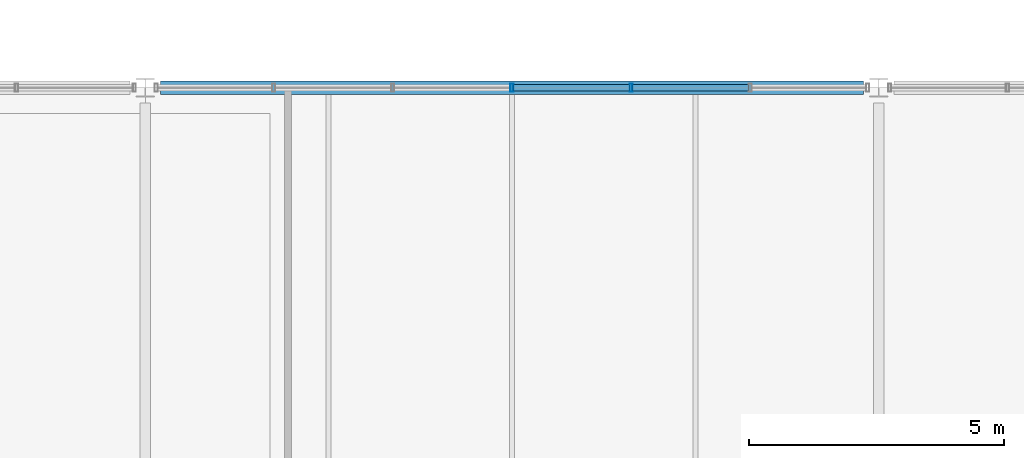
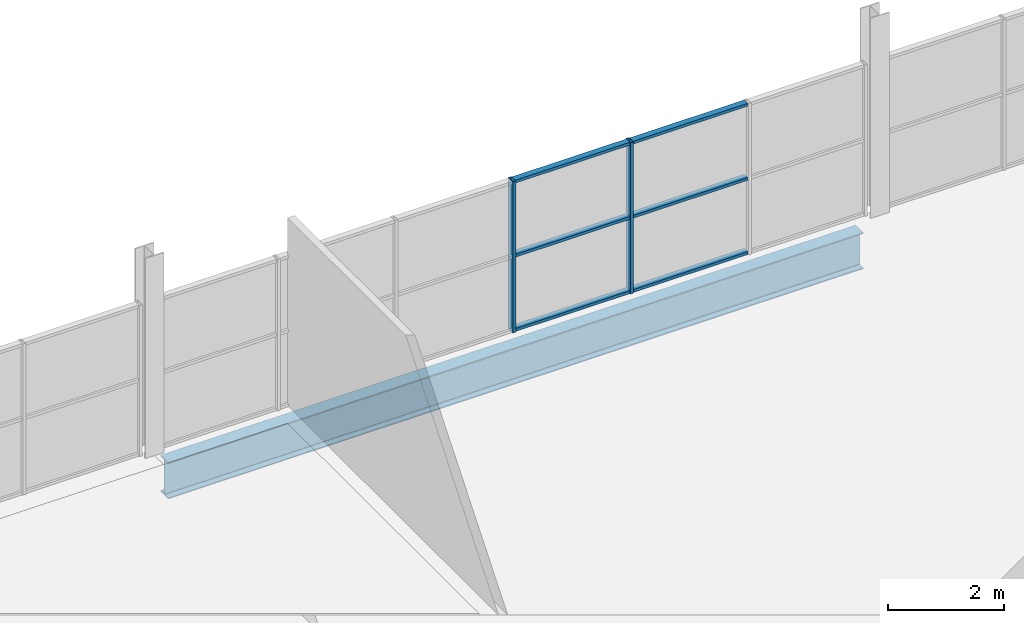
# One storey, part 78 of 161: 8 members, 1 beam, 1 element without a shape of its own.
"""IFC4 building model written with IfcOpenShell, lengths in metres."""

from ifc_helpers import new_model, si_unit, direction, frame, origin, origin_2d, place, context, subcontext, project, spatial, hollow_rectangle, i_section, extrude, material, material_profile, profile_set, type_object, element, aggregate, save


model = new_model("IFC4")

# Units and contexts
model_context = context("Model", 3, precision=1e-05, world=origin(), true_north=direction((0.0, 1.0)))
body_context = subcontext(model_context, "Body", "Model", "MODEL_VIEW")
ifc_project = project(units=[si_unit("LENGTHUNIT", "METRE"), si_unit("AREAUNIT", "SQUARE_METRE"), si_unit("VOLUMEUNIT", "CUBIC_METRE"), si_unit("PLANEANGLEUNIT", "RADIAN"), si_unit("MASSUNIT", "GRAM", prefix="KILO"), si_unit("THERMODYNAMICTEMPERATUREUNIT", "KELVIN")], contexts=[model_context])

# Site, building, storey
site_placement = place(None, origin())
site = spatial("IfcSite", under=ifc_project, at=site_placement, CompositionType="ELEMENT")
building_placement = place(site_placement, origin())
building = spatial("IfcBuilding", under=site, at=building_placement, Name="Nduvali Passage Aquatics Centre", CompositionType="ELEMENT")
storey_placement = place(building_placement, frame((0.0, 0.0, 4.800048828125)))
storey = spatial("IfcBuildingStorey", under=building, at=storey_placement, Name="L01", CompositionType="ELEMENT", Elevation=4.800048828125)

# Curtain wall, members
ifc_material_1 = material(Name="Aluminium EN AW-6063 T6", Category="aluminium")
curtain_wall_type = type_object("IfcCurtainWallType", Name="ENV-CW-WELL", PredefinedType="NOTDEFINED", material=ifc_material_1)
curtain_wall_placement = place(storey_placement, origin())
curtain_wall = element("IfcCurtainWall", 1, at=curtain_wall_placement, inside=storey, type_object=curtain_wall_type, Name="L01 North Avenue Fitness CW 103", PredefinedType="NOTDEFINED")
ifc_material_profile_1 = material_profile(ifc_material_1, hollow_rectangle(XDim=0.06005859375, YDim=0.159912109375, WallThickness=0.00390625, at=origin_2d()), Name="ALU MULLION 60x160x4")
ifc_profile_set_1 = profile_set([ifc_material_profile_1], Name="Aluminium EN AW-6063 T6")
member_type_1 = type_object("IfcMemberType", Name="ENV-MEM-MUL60", PredefinedType="MULLION", material=ifc_profile_set_1)
member_1_placement = place(storey_placement, frame((75.60009765625, 117.60009765625, 0.0), z_axis=(0.0, 0.0, 1.0), x_axis=(1.0, 0.0, 0.0)))
member_1 = element("IfcMember", 2, at=member_1_placement, type_object=member_type_1, Name="North Avenue Fitness CW Mullion 4", PredefinedType="MULLION", context=body_context, shape_type="SweptSolid", body=[
    extrude(hollow_rectangle(XDim=0.06005859375, YDim=0.159912109375, WallThickness=0.00390625, at=origin_2d()), origin(), (0.0, 0.0, 1.0), 3.173828125),
])
member_2_placement = place(storey_placement, frame((77.938232421875, 117.60009765625, 0.0), z_axis=(0.0, 0.0, 1.0), x_axis=(1.0, 0.0, 0.0)))
member_2 = element("IfcMember", 3, at=member_2_placement, type_object=member_type_1, Name="North Avenue Fitness CW Mullion 5", PredefinedType="MULLION", context=body_context, shape_type="SweptSolid", body=[
    extrude(hollow_rectangle(XDim=0.06005859375, YDim=0.159912109375, WallThickness=0.00390625, at=origin_2d()), origin(), (0.0, 0.0, 1.0), 3.173828125),
])
ifc_material_profile_2 = material_profile(ifc_material_1, hollow_rectangle(XDim=0.1201171875, YDim=0.06005859375, WallThickness=0.00390625, at=origin_2d()), Name="ALU TRANSOM 120x60x4")
ifc_profile_set_2 = profile_set([ifc_material_profile_2], Name="Aluminium EN AW-6063 T6")
member_type_2 = type_object("IfcMemberType", Name="ENV-MEM-TRN60", PredefinedType="USERDEFINED", material=ifc_profile_set_2)
member_3_placement = place(storey_placement, frame((75.6298828125, 117.60009765625, 0.030029296875), z_axis=(1.0, 0.0, 0.0), x_axis=(0.0, 1.0, 0.0)))
member_3 = element("IfcMember", 4, at=member_3_placement, type_object=member_type_2, Name="North Avenue Fitness CW Transom B4-R0", ObjectType="TRANSOM", PredefinedType="USERDEFINED", context=body_context, shape_type="SweptSolid", body=[
    extrude(hollow_rectangle(XDim=0.1201171875, YDim=0.06005859375, WallThickness=0.00390625, at=origin_2d()), origin(), (0.0, 0.0, 1.0), 2.2783203125),
])
member_4_placement = place(storey_placement, frame((75.6298828125, 117.60009765625, 1.5869140625), z_axis=(1.0, 0.0, 0.0), x_axis=(0.0, 1.0, 0.0)))
member_4 = element("IfcMember", 5, at=member_4_placement, type_object=member_type_2, Name="North Avenue Fitness CW Transom B4-R1", ObjectType="TRANSOM", PredefinedType="USERDEFINED", context=body_context, shape_type="SweptSolid", body=[
    extrude(hollow_rectangle(XDim=0.1201171875, YDim=0.06005859375, WallThickness=0.00390625, at=origin_2d()), origin(), (0.0, 0.0, 1.0), 2.2783203125),
])
member_5_placement = place(storey_placement, frame((75.6298828125, 117.60009765625, 3.143798828125), z_axis=(1.0, 0.0, 0.0), x_axis=(0.0, 1.0, 0.0)))
member_5 = element("IfcMember", 6, at=member_5_placement, type_object=member_type_2, Name="North Avenue Fitness CW Transom B4-R2", ObjectType="TRANSOM", PredefinedType="USERDEFINED", context=body_context, shape_type="SweptSolid", body=[
    extrude(hollow_rectangle(XDim=0.1201171875, YDim=0.06005859375, WallThickness=0.00390625, at=origin_2d()), origin(), (0.0, 0.0, 1.0), 2.2783203125),
])
member_6_placement = place(storey_placement, frame((77.96826171875, 117.60009765625, 0.030029296875), z_axis=(1.0, 0.0, 0.0), x_axis=(0.0, 1.0, 0.0)))
member_6 = element("IfcMember", 7, at=member_6_placement, type_object=member_type_2, Name="North Avenue Fitness CW Transom B5-R0", ObjectType="TRANSOM", PredefinedType="USERDEFINED", context=body_context, shape_type="SweptSolid", body=[
    extrude(hollow_rectangle(XDim=0.1201171875, YDim=0.06005859375, WallThickness=0.00390625, at=origin_2d()), origin(), (0.0, 0.0, 1.0), 2.2783203125),
])
member_7_placement = place(storey_placement, frame((77.96826171875, 117.60009765625, 1.5869140625), z_axis=(1.0, 0.0, 0.0), x_axis=(0.0, 1.0, 0.0)))
member_7 = element("IfcMember", 8, at=member_7_placement, type_object=member_type_2, Name="North Avenue Fitness CW Transom B5-R1", ObjectType="TRANSOM", PredefinedType="USERDEFINED", context=body_context, shape_type="SweptSolid", body=[
    extrude(hollow_rectangle(XDim=0.1201171875, YDim=0.06005859375, WallThickness=0.00390625, at=origin_2d()), origin(), (0.0, 0.0, 1.0), 2.2783203125),
])
member_8_placement = place(storey_placement, frame((77.96826171875, 117.60009765625, 3.143798828125), z_axis=(1.0, 0.0, 0.0), x_axis=(0.0, 1.0, 0.0)))
member_8 = element("IfcMember", 9, at=member_8_placement, type_object=member_type_2, Name="North Avenue Fitness CW Transom B5-R2", ObjectType="TRANSOM", PredefinedType="USERDEFINED", context=body_context, shape_type="SweptSolid", body=[
    extrude(hollow_rectangle(XDim=0.1201171875, YDim=0.06005859375, WallThickness=0.00390625, at=origin_2d()), origin(), (0.0, 0.0, 1.0), 2.2783203125),
])
aggregate(curtain_wall, [member_1, member_2, member_3, member_4, member_5, member_6, member_7, member_8])

# Beam
ifc_material_2 = material(Name="Steel S355", Category="steel")
ifc_material_profile_3 = material_profile(ifc_material_2, i_section(OverallWidth=0.2666015625, OverallDepth=0.76220703125, WebThickness=0.014404296875, FlangeThickness=0.021484375, FilletRadius=0.0166015625, at=origin_2d()), Name="UKB 762x267x173")
ifc_profile_set_3 = profile_set([ifc_material_profile_3], Name="Steel S355")
beam_type = type_object("IfcBeamType", Name="STR-BM-UKB762-EXT", PredefinedType="BEAM", material=ifc_profile_set_3)
beam_placement = place(storey_placement, frame((68.699951171875, 117.60009765625, -0.6650390625), z_axis=(1.0, 0.0, 0.0), x_axis=(0.0, 1.0, 0.0)))
element("IfcBeam", 10, at=beam_placement, inside=storey, type_object=beam_type, Name="L01 Primary X-Girder B4CE-0553", PredefinedType="BEAM", context=body_context, shape_type="SweptSolid", body=[
    extrude(i_section(OverallWidth=0.2666015625, OverallDepth=0.76220703125, WebThickness=0.014404296875, FlangeThickness=0.021484375, FilletRadius=0.0166015625, at=origin_2d()), origin(), (0.0, 0.0, 1.0), 13.800048828125),
])

save(model, "model.ifc")
